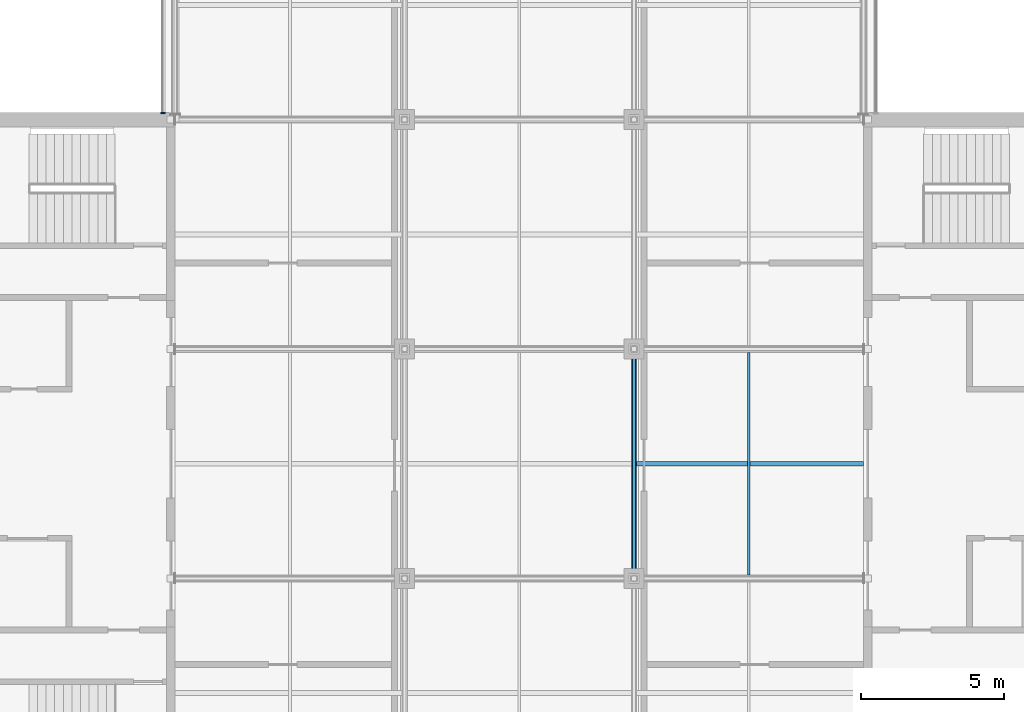
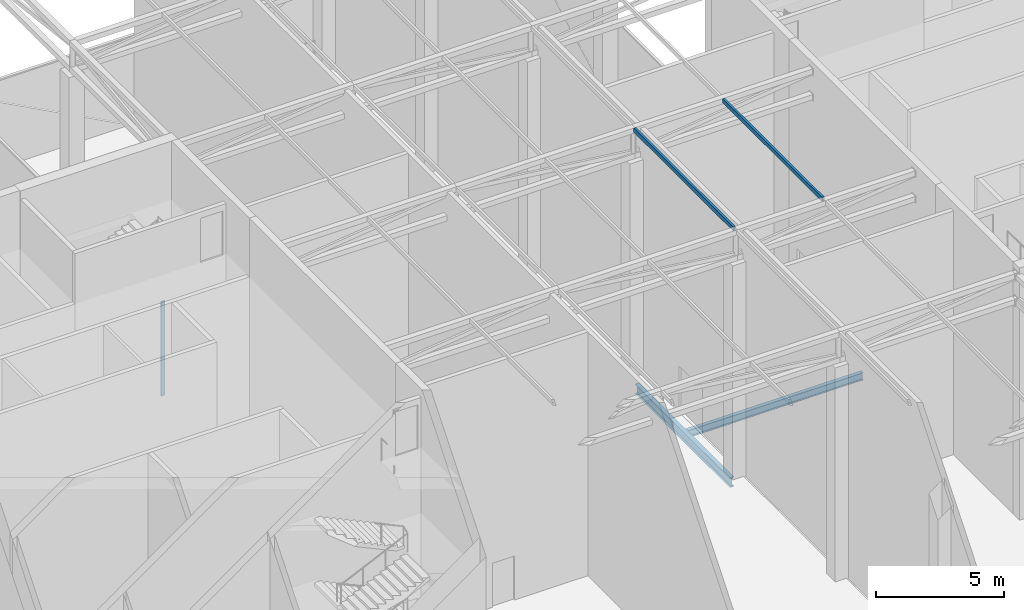
# One storey, part 6 of 23: 3 members, 2 beams, 1 element without a shape of its own.
"""IFC4 building model written with IfcOpenShell, lengths in metres."""

from ifc_helpers import new_model, si_unit, direction, frame, origin, origin_2d, place, context, subcontext, project, spatial, rectangle, hollow_rectangle, i_section, extrude, material, material_profile, profile_set, type_object, element, aggregate, save


model = new_model("IFC4")

# Units and contexts
model_context = context("Model", 3, precision=1e-05, world=origin(), true_north=direction((0.0, 1.0)))
body_context = subcontext(model_context, "Body", "Model", "MODEL_VIEW")
ifc_project = project(units=[si_unit("LENGTHUNIT", "METRE"), si_unit("AREAUNIT", "SQUARE_METRE"), si_unit("VOLUMEUNIT", "CUBIC_METRE"), si_unit("PLANEANGLEUNIT", "RADIAN"), si_unit("MASSUNIT", "GRAM", prefix="KILO")], contexts=[model_context])

# Site, building, storey
site_placement = place(None, origin())
site = spatial("IfcSite", under=ifc_project, at=site_placement, CompositionType="ELEMENT")
building_placement = place(site_placement, origin())
building = spatial("IfcBuilding", under=site, at=building_placement, Name="Crosswind Convention Tower", CompositionType="ELEMENT")
storey_placement = place(building_placement, frame((0.0, 0.0, 349.10009765625)))
storey = spatial("IfcBuildingStorey", under=building, at=storey_placement, Name="L76", CompositionType="ELEMENT", Elevation=349.10009765625)

# Beam
ifc_material_1 = material(Name="Steel S355", Category="steel")
ifc_material_profile_1 = material_profile(ifc_material_1, i_section(OverallWidth=0.18994140625, OverallDepth=0.45361328125, WebThickness=0.008544921875, FlangeThickness=0.0126953125, FilletRadius=0.01025390625, at=origin_2d()), Name="UB 457x191x67")
ifc_profile_set_1 = profile_set([ifc_material_profile_1], Name="Steel S355")
beam_type_1 = type_object("IfcBeamType", Name="Girder UB 457x191x67", PredefinedType="BEAM", material=ifc_profile_set_1)
beam_1_placement = place(storey_placement, frame((129.0, 96.300048828125, -0.576904296875), z_axis=(0.0, 1.0, 0.0), x_axis=(-1.0, 0.0, 0.0)))
element("IfcBeam", 1, at=beam_1_placement, inside=storey, type_object=beam_type_1, Name="B1 L76 girder 19", PredefinedType="BEAM", context=body_context, shape_type="SweptSolid", body=[
    extrude(i_section(OverallWidth=0.18994140625, OverallDepth=0.45361328125, WebThickness=0.008544921875, FlangeThickness=0.0126953125, FilletRadius=0.01025390625, at=origin_2d()), origin(), (0.0, 0.0, 1.0), 7.39990234375),
])

# Curtain wall, member
ifc_material_2 = material(Name="Aluminium unitised curtain wall", Category="aluminium")
curtain_wall_type = type_object("IfcCurtainWallType", Name="CORE END SLOT WALL 160", PredefinedType="USERDEFINED", material=ifc_material_2)
curtain_wall_placement = place(storey_placement, origin())
curtain_wall = element("IfcCurtainWall", 2, at=curtain_wall_placement, inside=storey, type_object=curtain_wall_type, Name="CW6 L76 N-W.1-2 slot", ObjectType="UNITISED", PredefinedType="USERDEFINED")
ifc_material_3 = material(Name="Aluminium mullion", Category="aluminium")
ifc_material_profile_2 = material_profile(ifc_material_3, rectangle(XDim=0.159912109375, YDim=0.050048828125, at=origin_2d()), Name="AL 160X50")
ifc_profile_set_2 = profile_set([ifc_material_profile_2], Name="Aluminium mullion")
member_type_1 = type_object("IfcMemberType", Name="MULLION 50X160", PredefinedType="MULLION", material=ifc_profile_set_2)
member_placement = place(storey_placement, frame((112.570068359375, 112.22509765625, -0.35009765625), z_axis=(0.0, 0.0, 1.0), x_axis=(-1.0, 0.0, 0.0)))
member = element("IfcMember", 3, at=member_placement, type_object=member_type_1, Name="CW6 mullion 2", PredefinedType="MULLION", context=body_context, shape_type="SweptSolid", body=[
    extrude(rectangle(XDim=0.159912109375, YDim=0.050048828125, at=origin_2d()), origin(), (0.0, 0.0, 1.0), 4.5),
])
aggregate(curtain_wall, [member])

# Members
ifc_material_profile_3 = material_profile(ifc_material_1, hollow_rectangle(XDim=0.10009765625, YDim=0.199951171875, WallThickness=0.010009765625, at=origin_2d()), Name="RHS 200x100x10.0")
ifc_profile_set_3 = profile_set([ifc_material_profile_3], Name="Steel S355")
member_type_2 = type_object("IfcMemberType", Name="Roof purlin RHS 200x100x10.0", PredefinedType="PURLIN", material=ifc_profile_set_3)
for number, where, z_axis, x_axis, name in (
    (4, (129.0, 96.125, 11.599853515625), (0.0, 1.0, 0.0), (-1.0, 0.0, 0.0), "M14 L76 roof purlin 19"),
    (5, (133.0, 96.125, 11.599853515625), (0.0, 1.0, 0.0), (-1.0, 0.0, 0.0), "M14 L76 roof purlin 20"),
):
    element("IfcMember", number, at=place(storey_placement, frame(where, z_axis=z_axis, x_axis=x_axis)), inside=storey, type_object=member_type_2, Name=name, PredefinedType="PURLIN", context=body_context, shape_type="SweptSolid", body=[
        extrude(hollow_rectangle(XDim=0.10009765625, YDim=0.199951171875, WallThickness=0.010009765625, at=origin_2d()), origin(), (0.0, 0.0, 1.0), 7.75),
    ])

# Beam
ifc_material_profile_4 = material_profile(ifc_material_1, i_section(OverallWidth=0.1708984375, OverallDepth=0.35205078125, WebThickness=0.0068359375, FlangeThickness=0.009765625, FilletRadius=0.01025390625, at=origin_2d()), Name="UB 356x171x45")
ifc_profile_set_4 = profile_set([ifc_material_profile_4], Name="Steel S355")
beam_type_2 = type_object("IfcBeamType", Name="Secondary beam UB 356x171x45", PredefinedType="JOIST", material=ifc_profile_set_4)
beam_2_placement = place(storey_placement, frame((129.094970703125, 100.0, -0.526123046875), z_axis=(1.0, 0.0, 0.0), x_axis=(0.0, 1.0, 0.0)))
element("IfcBeam", 6, at=beam_2_placement, inside=storey, type_object=beam_type_2, Name="B7 L76 secondary beam 18", PredefinedType="JOIST", context=body_context, shape_type="SweptSolid", body=[
    extrude(i_section(OverallWidth=0.1708984375, OverallDepth=0.35205078125, WebThickness=0.0068359375, FlangeThickness=0.009765625, FilletRadius=0.01025390625, at=origin_2d()), origin(), (0.0, 0.0, 1.0), 7.905029296875),
])

save(model, "model.ifc")
